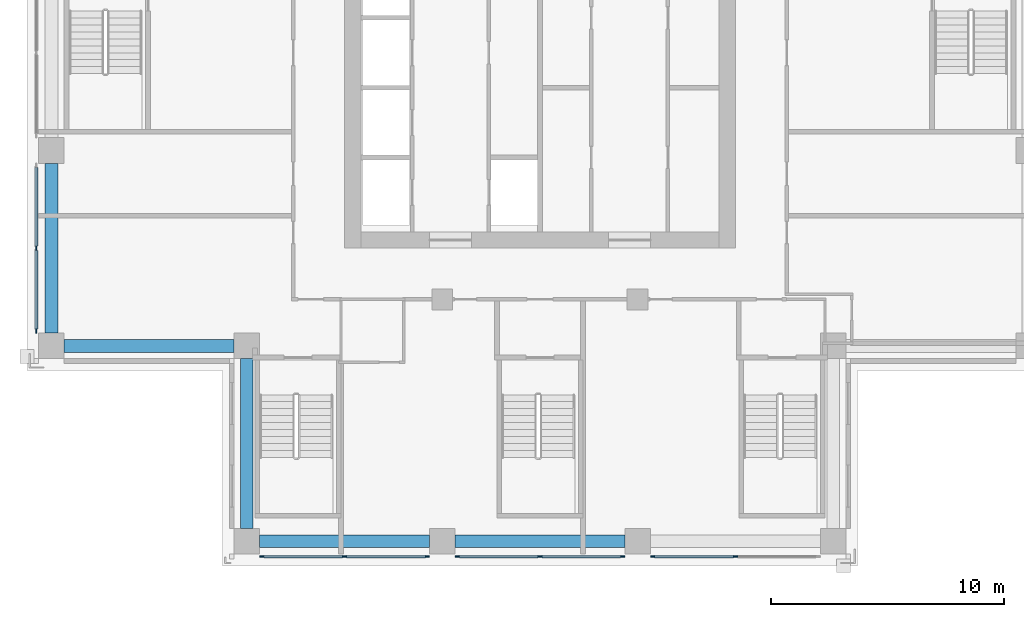
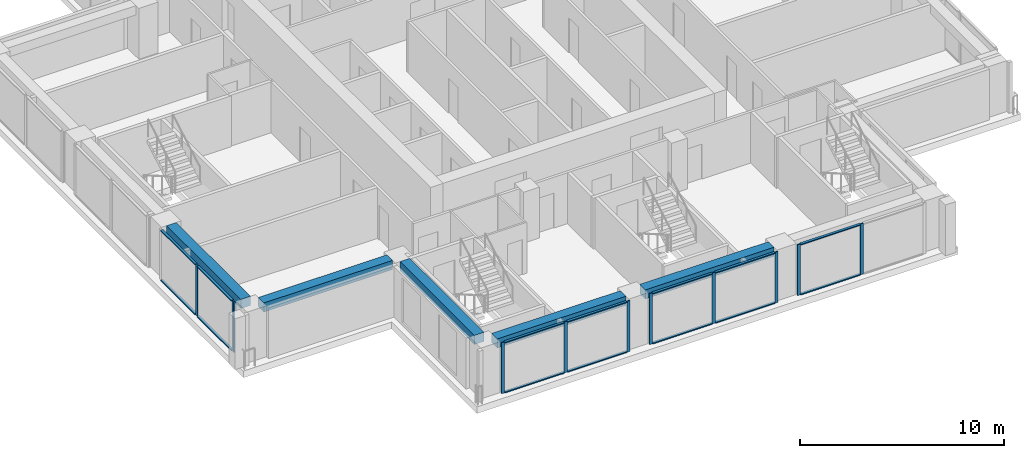
# One storey, part 2 of 16: 24 members, 5 beams, 4 elements without a shape of their own.
"""IFC4 building model written with IfcOpenShell, lengths in metres."""

from ifc_helpers import new_model, si_unit, direction, frame, origin, origin_2d, place, context, subcontext, project, spatial, rectangle, extrude, material, material_profile, profile_set, type_object, element, aggregate, save


model = new_model("IFC4")

# Units and contexts
model_context = context("Model", 3, precision=1e-05, world=origin(), true_north=direction((0.0, 1.0)))
body_context = subcontext(model_context, "Body", "Model", "MODEL_VIEW")
ifc_project = project(units=[si_unit("LENGTHUNIT", "METRE"), si_unit("AREAUNIT", "SQUARE_METRE"), si_unit("VOLUMEUNIT", "CUBIC_METRE"), si_unit("PLANEANGLEUNIT", "RADIAN"), si_unit("MASSUNIT", "GRAM", prefix="KILO")], contexts=[model_context])

# Site, building, storey
site_placement = place(None, origin())
site = spatial("IfcSite", under=ifc_project, at=site_placement, CompositionType="ELEMENT")
building_placement = place(site_placement, origin())
building = spatial("IfcBuilding", under=site, at=building_placement, Name="Vermilion Ogive Tower", CompositionType="ELEMENT")
storey_placement = place(building_placement, frame((0.0, 0.0, 146.89990234375)))
storey = spatial("IfcBuildingStorey", under=building, at=storey_placement, Name="L37", CompositionType="ELEMENT", Elevation=146.89990234375)

# Curtain wall, members
ifc_material_1 = material(Name="Low-iron laminated glazing in aluminium frame", Category="aluminium")
curtain_wall_type = type_object("IfcCurtainWallType", Name="Curtain wall CW7", PredefinedType="NOTDEFINED", material=ifc_material_1)
curtain_wall_1_placement = place(storey_placement, origin())
curtain_wall_1 = element("IfcCurtainWall", 1, at=curtain_wall_1_placement, inside=storey, type_object=curtain_wall_type, Name="Glazed skin S1", PredefinedType="NOTDEFINED")
ifc_material_2 = material(Name="Aluminium mullion", Category="aluminium")
ifc_material_profile_1 = material_profile(ifc_material_2, rectangle(XDim=0.06005859375, YDim=0.179931640625, at=origin_2d()), Name="AL 60x180")
ifc_profile_set_1 = profile_set([ifc_material_profile_1], Name="Aluminium mullion")
member_type_1 = type_object("IfcMemberType", Name="CW7 mullion 60x180", PredefinedType="MULLION", material=ifc_profile_set_1)
member_1_placement = place(storey_placement, frame((-11.9599609375, -21.64990234375, 0.0), z_axis=(0.0, 0.0, 1.0), x_axis=(0.0, 1.0, 0.0)))
member_1 = element("IfcMember", 2, at=member_1_placement, type_object=member_type_1, Name="CW7-S1 mullion 1", PredefinedType="MULLION", context=body_context, shape_type="SweptSolid", body=[
    extrude(rectangle(XDim=0.06005859375, YDim=0.179931640625, at=origin_2d()), origin(), (0.0, 0.0, 1.0), 3.050048828125),
])
member_2_placement = place(storey_placement, frame((-8.39990234375, -21.64990234375, 0.0), z_axis=(0.0, 0.0, 1.0), x_axis=(0.0, 1.0, 0.0)))
member_2 = element("IfcMember", 3, at=member_2_placement, type_object=member_type_1, Name="CW7-S1 mullion 2", PredefinedType="MULLION", context=body_context, shape_type="SweptSolid", body=[
    extrude(rectangle(XDim=0.06005859375, YDim=0.179931640625, at=origin_2d()), origin(), (0.0, 0.0, 1.0), 3.050048828125),
])
member_3_placement = place(storey_placement, frame((-4.840087890625, -21.64990234375, 0.0), z_axis=(0.0, 0.0, 1.0), x_axis=(0.0, 1.0, 0.0)))
member_3 = element("IfcMember", 4, at=member_3_placement, type_object=member_type_1, Name="CW7-S1 mullion 3", PredefinedType="MULLION", context=body_context, shape_type="SweptSolid", body=[
    extrude(rectangle(XDim=0.06005859375, YDim=0.179931640625, at=origin_2d()), origin(), (0.0, 0.0, 1.0), 3.050048828125),
])

curtain_wall_2_placement = place(storey_placement, origin())
curtain_wall_2 = element("IfcCurtainWall", 5, at=curtain_wall_2_placement, inside=storey, type_object=curtain_wall_type, Name="Glazed skin S2", PredefinedType="NOTDEFINED")
member_4_placement = place(storey_placement, frame((-3.56005859375, -21.64990234375, 0.0), z_axis=(0.0, 0.0, 1.0), x_axis=(0.0, 1.0, 0.0)))
member_4 = element("IfcMember", 6, at=member_4_placement, type_object=member_type_1, Name="CW7-S2 mullion 1", PredefinedType="MULLION", context=body_context, shape_type="SweptSolid", body=[
    extrude(rectangle(XDim=0.06005859375, YDim=0.179931640625, at=origin_2d()), origin(), (0.0, 0.0, 1.0), 3.050048828125),
])
member_5_placement = place(storey_placement, frame((0.0, -21.64990234375, 0.0), z_axis=(0.0, 0.0, 1.0), x_axis=(0.0, 1.0, 0.0)))
member_5 = element("IfcMember", 7, at=member_5_placement, type_object=member_type_1, Name="CW7-S2 mullion 2", PredefinedType="MULLION", context=body_context, shape_type="SweptSolid", body=[
    extrude(rectangle(XDim=0.06005859375, YDim=0.179931640625, at=origin_2d()), origin(), (0.0, 0.0, 1.0), 3.050048828125),
])
member_6_placement = place(storey_placement, frame((3.56005859375, -21.64990234375, 0.0), z_axis=(0.0, 0.0, 1.0), x_axis=(0.0, 1.0, 0.0)))
member_6 = element("IfcMember", 8, at=member_6_placement, type_object=member_type_1, Name="CW7-S2 mullion 3", PredefinedType="MULLION", context=body_context, shape_type="SweptSolid", body=[
    extrude(rectangle(XDim=0.06005859375, YDim=0.179931640625, at=origin_2d()), origin(), (0.0, 0.0, 1.0), 3.050048828125),
])

curtain_wall_3_placement = place(storey_placement, origin())
curtain_wall_3 = element("IfcCurtainWall", 9, at=curtain_wall_3_placement, inside=storey, type_object=curtain_wall_type, Name="Glazed skin S3", PredefinedType="NOTDEFINED")
member_7_placement = place(storey_placement, frame((4.840087890625, -21.64990234375, 0.0), z_axis=(0.0, 0.0, 1.0), x_axis=(0.0, 1.0, 0.0)))
member_7 = element("IfcMember", 10, at=member_7_placement, type_object=member_type_1, Name="CW7-S3 mullion 1", PredefinedType="MULLION", context=body_context, shape_type="SweptSolid", body=[
    extrude(rectangle(XDim=0.06005859375, YDim=0.179931640625, at=origin_2d()), origin(), (0.0, 0.0, 1.0), 3.050048828125),
])
member_8_placement = place(storey_placement, frame((8.39990234375, -21.64990234375, 0.0), z_axis=(0.0, 0.0, 1.0), x_axis=(0.0, 1.0, 0.0)))
member_8 = element("IfcMember", 11, at=member_8_placement, type_object=member_type_1, Name="CW7-S3 mullion 2", PredefinedType="MULLION", context=body_context, shape_type="SweptSolid", body=[
    extrude(rectangle(XDim=0.06005859375, YDim=0.179931640625, at=origin_2d()), origin(), (0.0, 0.0, 1.0), 3.050048828125),
])

curtain_wall_4_placement = place(storey_placement, origin())
curtain_wall_4 = element("IfcCurtainWall", 12, at=curtain_wall_4_placement, inside=storey, type_object=curtain_wall_type, Name="Glazed skin W3", PredefinedType="NOTDEFINED")
member_9_placement = place(storey_placement, frame((-21.64990234375, -8.39990234375, 0.0), z_axis=(0.0, 0.0, 1.0), x_axis=(1.0, 0.0, 0.0)))
member_9 = element("IfcMember", 13, at=member_9_placement, type_object=member_type_1, Name="CW7-W3 mullion 2", PredefinedType="MULLION", context=body_context, shape_type="SweptSolid", body=[
    extrude(rectangle(XDim=0.06005859375, YDim=0.179931640625, at=origin_2d()), origin(), (0.0, 0.0, 1.0), 3.050048828125),
])
member_10_placement = place(storey_placement, frame((-21.64990234375, -11.9599609375, 0.0), z_axis=(0.0, 0.0, 1.0), x_axis=(1.0, 0.0, 0.0)))
member_10 = element("IfcMember", 14, at=member_10_placement, type_object=member_type_1, Name="CW7-W3 mullion 3", PredefinedType="MULLION", context=body_context, shape_type="SweptSolid", body=[
    extrude(rectangle(XDim=0.06005859375, YDim=0.179931640625, at=origin_2d()), origin(), (0.0, 0.0, 1.0), 3.050048828125),
])

# Member
ifc_material_3 = material(Name="Aluminium transom", Category="aluminium")
ifc_material_profile_2 = material_profile(ifc_material_3, rectangle(XDim=0.139892578125, YDim=0.06005859375, at=origin_2d()), Name="AL 60x140")
ifc_profile_set_2 = profile_set([ifc_material_profile_2], Name="Aluminium transom")
member_type_2 = type_object("IfcMemberType", Name="CW7 transom 60x140", PredefinedType="USERDEFINED", material=ifc_profile_set_2)
member_11_placement = place(storey_placement, frame((-11.8701171875, -21.64990234375, 0.030029296875), z_axis=(1.0, 0.0, 0.0), x_axis=(0.0, 1.0, 0.0)))
member_11 = element("IfcMember", 15, at=member_11_placement, type_object=member_type_2, Name="CW7-S1 transom 1.1", ObjectType="TRANSOM", PredefinedType="USERDEFINED", context=body_context, shape_type="SweptSolid", body=[
    extrude(rectangle(XDim=0.139892578125, YDim=0.06005859375, at=origin_2d()), origin(), (0.0, 0.0, 1.0), 3.380126953125),
])

member_12_placement = place(storey_placement, frame((-11.8701171875, -21.64990234375, 3.02001953125), z_axis=(1.0, 0.0, 0.0), x_axis=(0.0, 1.0, 0.0)))
member_12 = element("IfcMember", 16, at=member_12_placement, type_object=member_type_2, Name="CW7-S1 transom 1.2", ObjectType="TRANSOM", PredefinedType="USERDEFINED", context=body_context, shape_type="SweptSolid", body=[
    extrude(rectangle(XDim=0.139892578125, YDim=0.06005859375, at=origin_2d()), origin(), (0.0, 0.0, 1.0), 3.380126953125),
])

member_13_placement = place(storey_placement, frame((-8.31005859375, -21.64990234375, 0.030029296875), z_axis=(1.0, 0.0, 0.0), x_axis=(0.0, 1.0, 0.0)))
member_13 = element("IfcMember", 17, at=member_13_placement, type_object=member_type_2, Name="CW7-S1 transom 2.1", ObjectType="TRANSOM", PredefinedType="USERDEFINED", context=body_context, shape_type="SweptSolid", body=[
    extrude(rectangle(XDim=0.139892578125, YDim=0.06005859375, at=origin_2d()), origin(), (0.0, 0.0, 1.0), 3.380126953125),
])

member_14_placement = place(storey_placement, frame((-8.31005859375, -21.64990234375, 3.02001953125), z_axis=(1.0, 0.0, 0.0), x_axis=(0.0, 1.0, 0.0)))
member_14 = element("IfcMember", 18, at=member_14_placement, type_object=member_type_2, Name="CW7-S1 transom 2.2", ObjectType="TRANSOM", PredefinedType="USERDEFINED", context=body_context, shape_type="SweptSolid", body=[
    extrude(rectangle(XDim=0.139892578125, YDim=0.06005859375, at=origin_2d()), origin(), (0.0, 0.0, 1.0), 3.380126953125),
])

aggregate(curtain_wall_1, [member_1, member_2, member_3, member_11, member_12, member_13, member_14])

member_15_placement = place(storey_placement, frame((-3.469970703125, -21.64990234375, 0.030029296875), z_axis=(1.0, 0.0, 0.0), x_axis=(0.0, 1.0, 0.0)))
member_15 = element("IfcMember", 19, at=member_15_placement, type_object=member_type_2, Name="CW7-S2 transom 1.1", ObjectType="TRANSOM", PredefinedType="USERDEFINED", context=body_context, shape_type="SweptSolid", body=[
    extrude(rectangle(XDim=0.139892578125, YDim=0.06005859375, at=origin_2d()), origin(), (0.0, 0.0, 1.0), 3.3798828125),
])

member_16_placement = place(storey_placement, frame((-3.469970703125, -21.64990234375, 3.02001953125), z_axis=(1.0, 0.0, 0.0), x_axis=(0.0, 1.0, 0.0)))
member_16 = element("IfcMember", 20, at=member_16_placement, type_object=member_type_2, Name="CW7-S2 transom 1.2", ObjectType="TRANSOM", PredefinedType="USERDEFINED", context=body_context, shape_type="SweptSolid", body=[
    extrude(rectangle(XDim=0.139892578125, YDim=0.06005859375, at=origin_2d()), origin(), (0.0, 0.0, 1.0), 3.3798828125),
])

member_17_placement = place(storey_placement, frame((0.090087890625, -21.64990234375, 0.030029296875), z_axis=(1.0, 0.0, 0.0), x_axis=(0.0, 1.0, 0.0)))
member_17 = element("IfcMember", 21, at=member_17_placement, type_object=member_type_2, Name="CW7-S2 transom 2.1", ObjectType="TRANSOM", PredefinedType="USERDEFINED", context=body_context, shape_type="SweptSolid", body=[
    extrude(rectangle(XDim=0.139892578125, YDim=0.06005859375, at=origin_2d()), origin(), (0.0, 0.0, 1.0), 3.3798828125),
])

member_18_placement = place(storey_placement, frame((0.090087890625, -21.64990234375, 3.02001953125), z_axis=(1.0, 0.0, 0.0), x_axis=(0.0, 1.0, 0.0)))
member_18 = element("IfcMember", 22, at=member_18_placement, type_object=member_type_2, Name="CW7-S2 transom 2.2", ObjectType="TRANSOM", PredefinedType="USERDEFINED", context=body_context, shape_type="SweptSolid", body=[
    extrude(rectangle(XDim=0.139892578125, YDim=0.06005859375, at=origin_2d()), origin(), (0.0, 0.0, 1.0), 3.3798828125),
])

aggregate(curtain_wall_2, [member_4, member_5, member_6, member_15, member_16, member_17, member_18])

member_19_placement = place(storey_placement, frame((4.929931640625, -21.64990234375, 0.030029296875), z_axis=(1.0, 0.0, 0.0), x_axis=(0.0, 1.0, 0.0)))
member_19 = element("IfcMember", 23, at=member_19_placement, type_object=member_type_2, Name="CW7-S3 transom 1.1", ObjectType="TRANSOM", PredefinedType="USERDEFINED", context=body_context, shape_type="SweptSolid", body=[
    extrude(rectangle(XDim=0.139892578125, YDim=0.06005859375, at=origin_2d()), origin(), (0.0, 0.0, 1.0), 3.380126953125),
])

member_20_placement = place(storey_placement, frame((4.929931640625, -21.64990234375, 3.02001953125), z_axis=(1.0, 0.0, 0.0), x_axis=(0.0, 1.0, 0.0)))
member_20 = element("IfcMember", 24, at=member_20_placement, type_object=member_type_2, Name="CW7-S3 transom 1.2", ObjectType="TRANSOM", PredefinedType="USERDEFINED", context=body_context, shape_type="SweptSolid", body=[
    extrude(rectangle(XDim=0.139892578125, YDim=0.06005859375, at=origin_2d()), origin(), (0.0, 0.0, 1.0), 3.380126953125),
])

aggregate(curtain_wall_3, [member_7, member_8, member_19, member_20])

member_21_placement = place(storey_placement, frame((-21.64990234375, -4.929931640625, 0.030029296875), z_axis=(0.0, -1.0, 0.0), x_axis=(1.0, 0.0, 0.0)))
member_21 = element("IfcMember", 25, at=member_21_placement, type_object=member_type_2, Name="CW7-W3 transom 1.1", ObjectType="TRANSOM", PredefinedType="USERDEFINED", context=body_context, shape_type="SweptSolid", body=[
    extrude(rectangle(XDim=0.139892578125, YDim=0.06005859375, at=origin_2d()), origin(), (0.0, 0.0, 1.0), 3.380126953125),
])

member_22_placement = place(storey_placement, frame((-21.64990234375, -4.929931640625, 3.02001953125), z_axis=(0.0, -1.0, 0.0), x_axis=(1.0, 0.0, 0.0)))
member_22 = element("IfcMember", 26, at=member_22_placement, type_object=member_type_2, Name="CW7-W3 transom 1.2", ObjectType="TRANSOM", PredefinedType="USERDEFINED", context=body_context, shape_type="SweptSolid", body=[
    extrude(rectangle(XDim=0.139892578125, YDim=0.06005859375, at=origin_2d()), origin(), (0.0, 0.0, 1.0), 3.380126953125),
])

member_23_placement = place(storey_placement, frame((-21.64990234375, -8.489990234375, 0.030029296875), z_axis=(0.0, -1.0, 0.0), x_axis=(1.0, 0.0, 0.0)))
member_23 = element("IfcMember", 27, at=member_23_placement, type_object=member_type_2, Name="CW7-W3 transom 2.1", ObjectType="TRANSOM", PredefinedType="USERDEFINED", context=body_context, shape_type="SweptSolid", body=[
    extrude(rectangle(XDim=0.139892578125, YDim=0.06005859375, at=origin_2d()), origin(), (0.0, 0.0, 1.0), 3.380126953125),
])

member_24_placement = place(storey_placement, frame((-21.64990234375, -8.489990234375, 3.02001953125), z_axis=(0.0, -1.0, 0.0), x_axis=(1.0, 0.0, 0.0)))
member_24 = element("IfcMember", 28, at=member_24_placement, type_object=member_type_2, Name="CW7-W3 transom 2.2", ObjectType="TRANSOM", PredefinedType="USERDEFINED", context=body_context, shape_type="SweptSolid", body=[
    extrude(rectangle(XDim=0.139892578125, YDim=0.06005859375, at=origin_2d()), origin(), (0.0, 0.0, 1.0), 3.380126953125),
])

aggregate(curtain_wall_4, [member_9, member_10, member_21, member_22, member_23, member_24])

# Beams
ifc_material_4 = material(Name="Concrete B45", Category="concrete")
ifc_material_profile_3 = material_profile(ifc_material_4, rectangle(XDim=0.550048828125, YDim=0.550048828125, at=origin_2d()), Name="550 x 550")
ifc_profile_set_3 = profile_set([ifc_material_profile_3], Name="Concrete B45")
beam_type = type_object("IfcBeamType", Name="Edge beam 550 x 550 B45", PredefinedType="BEAM", material=ifc_profile_set_3)
beam_1_placement = place(storey_placement, frame((-12.050048828125, -21.0, 2.775146484375), z_axis=(1.0, 0.0, 0.0), x_axis=(0.0, 1.0, 0.0)))
element("IfcBeam", 29, at=beam_1_placement, inside=storey, type_object=beam_type, Name="L37-EB-1", PredefinedType="BEAM", context=body_context, shape_type="SweptSolid", body=[
    extrude(rectangle(XDim=0.550048828125, YDim=0.550048828125, at=origin_2d()), origin(), (0.0, 0.0, 1.0), 7.300048828125),
])
beam_2_placement = place(storey_placement, frame((-3.64990234375, -21.0, 2.775146484375), z_axis=(1.0, 0.0, 0.0), x_axis=(0.0, 1.0, 0.0)))
element("IfcBeam", 30, at=beam_2_placement, inside=storey, type_object=beam_type, Name="L37-EB-2", PredefinedType="BEAM", context=body_context, shape_type="SweptSolid", body=[
    extrude(rectangle(XDim=0.550048828125, YDim=0.550048828125, at=origin_2d()), origin(), (0.0, 0.0, 1.0), 7.2998046875),
])
for number, where, z_axis, x_axis, name in (
    (31, (-21.0, -4.75, 2.775146484375), (0.0, -1.0, 0.0), (1.0, 0.0, 0.0), "L37-EB-15"),
    (32, (-20.449951171875, -12.60009765625, 2.775146484375), (1.0, 0.0, 0.0), (0.0, 1.0, 0.0), "L37-EB-16"),
    (33, (-12.60009765625, -13.14990234375, 2.775146484375), (0.0, -1.0, 0.0), (1.0, 0.0, 0.0), "L37-EB-17"),
):
    element("IfcBeam", number, at=place(storey_placement, frame(where, z_axis=z_axis, x_axis=x_axis)), inside=storey, type_object=beam_type, Name=name, PredefinedType="BEAM", context=body_context, shape_type="SweptSolid", body=[
        extrude(rectangle(XDim=0.550048828125, YDim=0.550048828125, at=origin_2d()), origin(), (0.0, 0.0, 1.0), 7.300048828125),
    ])

save(model, "model.ifc")
